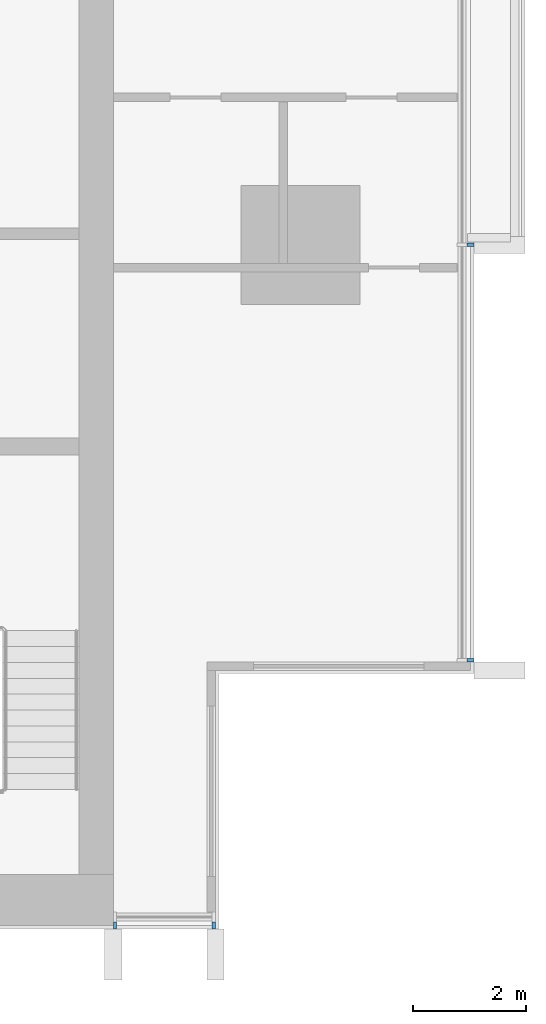
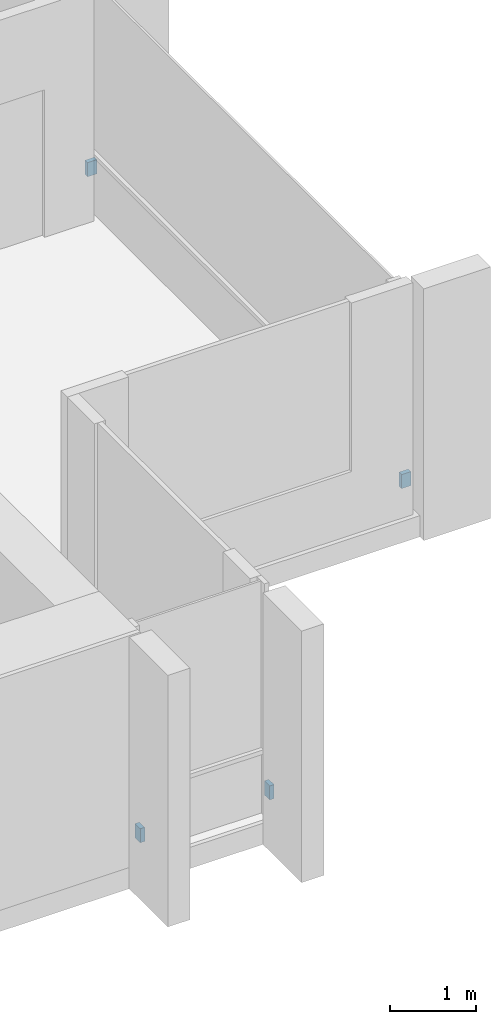
# One storey, part 13 of 16: 4 discrete accessories.
"""IFC4 building model written with IfcOpenShell, lengths in metres."""

import ifcopenshell
import ifcopenshell.guid

model = None  # the IFC model being written
_history = None  # IfcOwnerHistory: only IFC2X3 demands one
_inside = {}  # id of a spatial element -> (the spatial element, [elements in it])
_under = {}  # id of a project, library or spatial element -> (it, [spatial elements below it])
_declared = {}  # id of a project -> (the project, [libraries it declares])
_typed = {}  # id of a type object -> (the type object, [elements of that type])
_made_of = {}  # id of a material, layer set ... -> (it, [elements and type objects made of it])


def new_model(schema):
    """Start an empty IFC model of exactly this schema.

    Asked for "IFC4X3", IfcOpenShell would pick the latest addendum, in which some entities
    have other attributes; the version numbers below select the first issue.
    IFC2X3 requires an IfcOwnerHistory on every rooted entity: one is made here for all.
    """
    global model, _history
    if schema == "IFC4X3":
        model = ifcopenshell.file(schema_version=(4, 3, 0, 0))
    else:
        model = ifcopenshell.file(schema=schema)
    _inside.clear()
    _under.clear()
    _declared.clear()
    _typed.clear()
    _made_of.clear()
    _history = None
    if model.schema == "IFC2X3":
        org = make("IfcOrganization", Name="unknown")
        user = make(
            "IfcPersonAndOrganization",
            ThePerson=make("IfcPerson", FamilyName="unknown"),
            TheOrganization=org,
        )
        app = make(
            "IfcApplication",
            ApplicationDeveloper=org,
            Version="unknown",
            ApplicationFullName="unknown",
            ApplicationIdentifier="unknown",
        )
        _history = make(
            "IfcOwnerHistory",
            OwningUser=user,
            OwningApplication=app,
            ChangeAction="ADDED",
            CreationDate=0,
        )
    return model


def make(cls, **values):
    """One entity of the class cls with the attributes given. An attribute that is None is left unset."""
    return model.create_entity(
        cls, **{name: value for name, value in values.items() if value is not None}
    )


def rooted(cls, **values):
    """An entity with a GlobalId (a new one), such as an element, a storey or a relation."""
    return make(cls, GlobalId=ifcopenshell.guid.new(), OwnerHistory=_history, **values)


def si_unit(unit_type, name, prefix=None):
    """IfcSIUnit, for example si_unit("LENGTHUNIT", "METRE", prefix="MILLI")."""
    return make("IfcSIUnit", UnitType=unit_type, Prefix=prefix, Name=name)


def assignment(units):
    """IfcUnitAssignment: the units of a project."""
    return None if units is None else make("IfcUnitAssignment", Units=units)


def point(xyz):
    """IfcCartesianPoint."""
    return None if xyz is None else make("IfcCartesianPoint", Coordinates=xyz)


def direction(xyz):
    """IfcDirection."""
    return None if xyz is None else make("IfcDirection", DirectionRatios=xyz)


def frame(location, z_axis=None, x_axis=None):
    """IfcAxis2Placement3D, a coordinate frame: its origin and axes. An axis left out is left unset."""
    return make(
        "IfcAxis2Placement3D",
        Location=point(location),
        Axis=direction(z_axis),
        RefDirection=direction(x_axis),
    )


def frame_2d(location, x_axis=None):
    """IfcAxis2Placement2D, a coordinate frame in the plane: its origin and x axis."""
    return make(
        "IfcAxis2Placement2D", Location=point(location), RefDirection=direction(x_axis)
    )


def origin():
    """The frame at (0, 0, 0) with its axes left unset."""
    return frame((0.0, 0.0, 0.0))


def origin_2d():
    """The frame at (0, 0) in the plane with its x axis left unset."""
    return frame_2d((0.0, 0.0))


def place(relative_to, where):
    """IfcLocalPlacement: puts the frame where relative to a parent placement (None: the world)."""
    return make(
        "IfcLocalPlacement", PlacementRelTo=relative_to, RelativePlacement=where
    )


def context(
    kind, dimensions, precision=None, world=None, true_north=None, identifier=None
):
    """IfcGeometricRepresentationContext, for example the 3D "Model" context."""
    return make(
        "IfcGeometricRepresentationContext",
        ContextIdentifier=identifier,
        ContextType=kind,
        CoordinateSpaceDimension=dimensions,
        Precision=precision,
        WorldCoordinateSystem=world,
        TrueNorth=true_north,
    )


def subcontext(parent, identifier, kind, view, scale=None):
    """IfcGeometricRepresentationSubContext, for example "Body" below "Model"."""
    return make(
        "IfcGeometricRepresentationSubContext",
        ContextIdentifier=identifier,
        ContextType=kind,
        ParentContext=parent,
        TargetScale=scale,
        TargetView=view,
    )


def project(units=None, contexts=None):
    """IfcProject with its units and contexts."""
    return rooted(
        "IfcProject",
        Name="project",
        RepresentationContexts=contexts,
        UnitsInContext=assignment(units),
    )


def spatial(cls, under=None, at=None, **own):
    """A site, building, storey or space (cls), placed at a placement, below another one or the project."""
    s = rooted(cls, ObjectPlacement=at, **own)
    if under is not None:
        _under.setdefault(under.id(), (under, []))[1].append(s)
    return s


def profile(cls, at=None, kind="AREA", **sizes):
    """A parametric profile (cls). Its sizes go by their IFC names, for example OverallWidth=200.0."""
    return make(cls, ProfileType=kind, Position=at, **sizes)


def rectangle(**sizes):
    """IfcRectangleProfileDef."""
    return profile("IfcRectangleProfileDef", **sizes)


def extrude(swept, where, along, depth):
    """IfcExtrudedAreaSolid: the profile swept, set in the frame where, extruded along a direction by depth."""
    return make(
        "IfcExtrudedAreaSolid",
        SweptArea=swept,
        Position=where,
        ExtrudedDirection=direction(along),
        Depth=depth,
    )


def shape(context_of_items, identifier, shape_type, items):
    """IfcShapeRepresentation: the items that make up one representation, for example the "Body"."""
    return make(
        "IfcShapeRepresentation",
        ContextOfItems=context_of_items,
        RepresentationIdentifier=identifier,
        RepresentationType=shape_type,
        Items=items,
    )


def material(Name=None, Category=None):
    """IfcMaterial."""
    return make("IfcMaterial", Name=Name, Category=Category)


def made_of(thing, what):
    """Note that an element or type object is made of a material, layer set ...; save() writes the relation."""
    if what is not None:
        _made_of.setdefault(what.id(), (what, []))[1].append(thing)
    return thing


def type_object(cls, material=None, **own):
    """A type object (cls), such as IfcWallType, which elements share."""
    return made_of(rooted(cls, **own), material)


def element(
    cls,
    number,
    at=None,
    inside=None,
    cuts=None,
    type_object=None,
    material=None,
    context=None,
    identifier="Body",
    shape_type=None,
    held_by="IfcProductDefinitionShape",
    body=None,
    shapes=None,
    **own,
):
    """One element of the class cls, such as IfcWall. Its Tag is "e" and its number.

    at: its placement. inside: the storey or other place that contains it. cuts: it is an
    opening in that element (IfcRelVoidsElement). A single representation is given by context,
    identifier, shape_type and body (its items); several are given by shapes. held_by: the class
    of the entity that holds the representations. save() writes the other relations.
    """
    e = rooted(cls, Tag="e%d" % number, ObjectPlacement=at, **own)
    if body is not None:
        shapes = [shape(context, identifier, shape_type, body)]
    if shapes is not None:
        e.Representation = make(held_by, Representations=shapes)
    if inside is not None:
        _inside.setdefault(inside.id(), (inside, []))[1].append(e)
    if cuts is not None:
        rooted(
            "IfcRelVoidsElement", RelatingBuildingElement=cuts, RelatedOpeningElement=e
        )
    if type_object is not None:
        _typed.setdefault(type_object.id(), (type_object, []))[1].append(e)
    return made_of(e, material)


def aggregate(whole, parts):
    """IfcRelAggregates: a whole, such as a stair, and the parts it consists of."""
    return rooted("IfcRelAggregates", RelatingObject=whole, RelatedObjects=parts)


def save(model, path):
    """Write the relations noted so far, then the file.

    IfcRelAggregates (storeys below a building ...), IfcRelContainedInSpatialStructure (elements
    in a storey), IfcRelDefinesByType, IfcRelAssociatesMaterial and IfcRelDeclares: one each for
    every whole, place, type object, material and project.
    """
    for whole, parts in _under.values():
        aggregate(whole, parts)
    for where, things in _inside.values():
        rooted(
            "IfcRelContainedInSpatialStructure",
            RelatedElements=things,
            RelatingStructure=where,
        )
    for kind, things in _typed.values():
        rooted("IfcRelDefinesByType", RelatedObjects=things, RelatingType=kind)
    for what, things in _made_of.values():
        rooted("IfcRelAssociatesMaterial", RelatedObjects=things, RelatingMaterial=what)
    for by, libraries in _declared.values():
        rooted("IfcRelDeclares", RelatingContext=by, RelatedDefinitions=libraries)
    model.write(path)


model = new_model("IFC4")

# Units and contexts
model_context = context("Model", 3, precision=1e-05, world=origin(), true_north=direction((0.0, 1.0)))
body_context = subcontext(model_context, "Body", "Model", "MODEL_VIEW")
ifc_project = project(units=[si_unit("LENGTHUNIT", "METRE"), si_unit("AREAUNIT", "SQUARE_METRE"), si_unit("VOLUMEUNIT", "CUBIC_METRE"), si_unit("PLANEANGLEUNIT", "RADIAN"), si_unit("MASSUNIT", "GRAM", prefix="KILO")], contexts=[model_context])

# Site, building, storey
site_placement = place(None, origin())
site = spatial("IfcSite", under=ifc_project, at=site_placement, CompositionType="ELEMENT")
building_placement = place(site_placement, origin())
building = spatial("IfcBuilding", under=site, at=building_placement, Name="Finial Court Residences", CompositionType="ELEMENT")
storey_placement = place(building_placement, frame((0.0, 0.0, 241.10009765625)))
storey = spatial("IfcBuildingStorey", under=building, at=storey_placement, Name="L61", CompositionType="ELEMENT", Elevation=241.10009765625)

# Discrete accessories
ifc_material = material(Name="Stainless steel 316", Category="steel")
discrete_accessory_type = type_object("IfcDiscreteAccessoryType", Name="Fin bracket, stainless steel 60 x 122 x 200", PredefinedType="BRACKET", material=ifc_material)
for number, where, z_axis, x_axis, name in (
    (1, (19.498779296875, -20.820068359375, 0.2998046875), (0.0, 0.0, 1.0), (1.0, 0.0, 0.0), "E-L61-FIN-E7-BRK"),
    (2, (19.498779296875, -13.5, 0.2998046875), (0.0, 0.0, 1.0), (1.0, 0.0, 0.0), "E-L61-FIN-E8-BRK"),
):
    element("IfcDiscreteAccessory", number, at=place(storey_placement, frame(where, z_axis=z_axis, x_axis=x_axis)), inside=storey, type_object=discrete_accessory_type, Name=name, PredefinedType="BRACKET", context=body_context, shape_type="SweptSolid", body=[
        extrude(rectangle(XDim=0.12255859375, YDim=0.06005859375, at=origin_2d()), origin(), (0.0, 0.0, 1.0), 0.199951171875),
    ])
for number, where, z_axis, x_axis, name in (
    (3, (13.22998046875, -25.498779296875, 0.2998046875), (0.0, 0.0, 1.0), (1.0, 0.0, 0.0), "E-L61-FIN-S19-BRK"),
    (4, (14.969970703125, -25.498779296875, 0.2998046875), (0.0, 0.0, 1.0), (1.0, 0.0, 0.0), "E-L61-FIN-S20-BRK"),
):
    element("IfcDiscreteAccessory", number, at=place(storey_placement, frame(where, z_axis=z_axis, x_axis=x_axis)), inside=storey, type_object=discrete_accessory_type, Name=name, PredefinedType="BRACKET", context=body_context, shape_type="SweptSolid", body=[
        extrude(rectangle(XDim=0.06005859375, YDim=0.12255859375, at=origin_2d()), origin(), (0.0, 0.0, 1.0), 0.199951171875),
    ])

save(model, "model.ifc")
